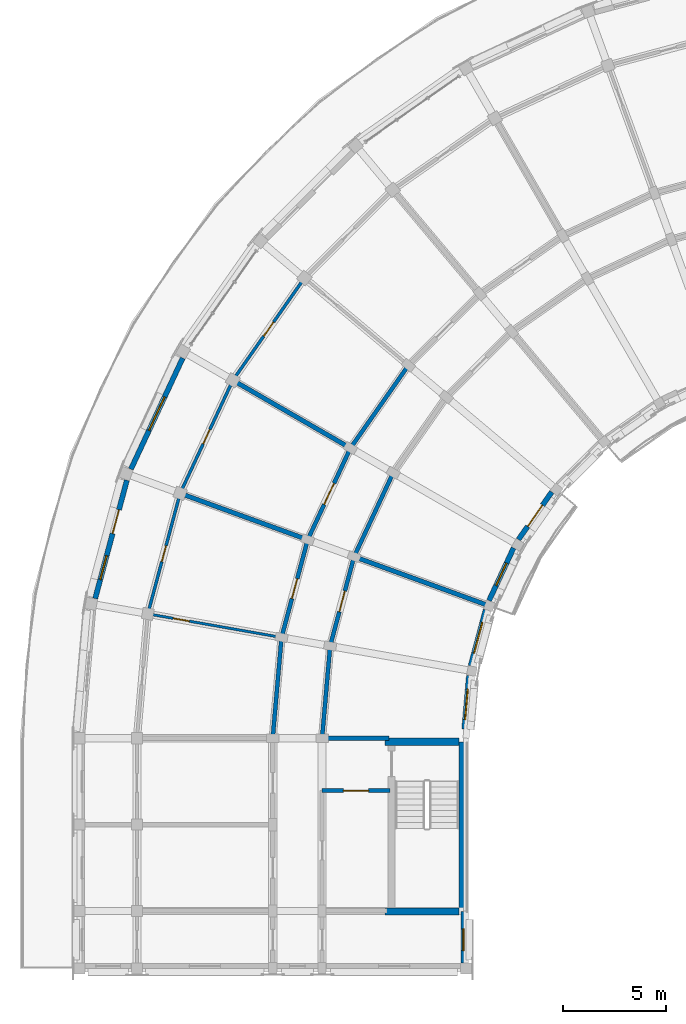
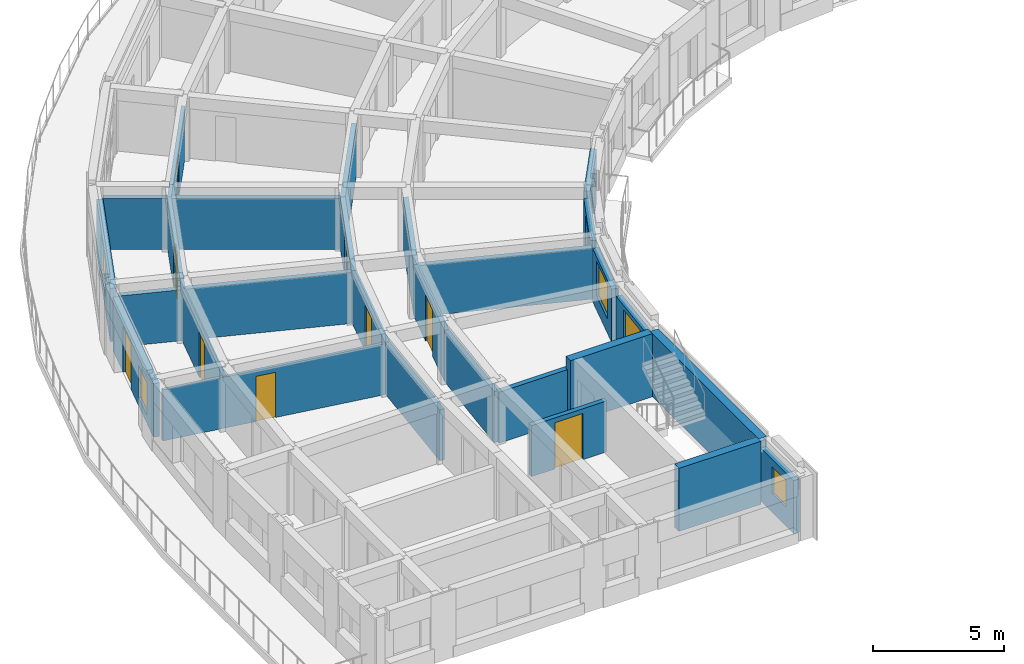
# One storey, part 7 of 16: 26 walls, 10 doors, 6 windows, 16 openings.
"""IFC4 building model written with IfcOpenShell, lengths in metres."""

from ifc_helpers import new_model, si_unit, direction, frame, frame_2d, origin, place, context, subcontext, project, spatial, rectangle, extrude, material, layer, layer_set, type_object, element, fill, save


model = new_model("IFC4")

# Units and contexts
model_context = context("Model", 3, precision=1e-05, world=origin(), true_north=direction((0.0, 1.0)))
body_context = subcontext(model_context, "Body", "Model", "MODEL_VIEW")
ifc_project = project(units=[si_unit("LENGTHUNIT", "METRE"), si_unit("AREAUNIT", "SQUARE_METRE"), si_unit("VOLUMEUNIT", "CUBIC_METRE"), si_unit("PLANEANGLEUNIT", "RADIAN"), si_unit("MASSUNIT", "GRAM", prefix="KILO")], contexts=[model_context])

# Site, building, storey
site_placement = place(None, origin())
site = spatial("IfcSite", under=ifc_project, at=site_placement, CompositionType="ELEMENT")
building_placement = place(site_placement, origin())
building = spatial("IfcBuilding", under=site, at=building_placement, Name="Kiranvali Square Residences", CompositionType="ELEMENT")
storey_placement = place(building_placement, frame((0.0, 0.0, 46.5)))
storey = spatial("IfcBuildingStorey", under=building, at=storey_placement, Name="L14", CompositionType="ELEMENT", Elevation=46.5)

# Wall, opening, door
ifc_material_1 = material(Name="Autoclaved aerated concrete blockwork masonry", Category="masonry")
ifc_layer_1 = layer(ifc_material_1, 0.199951171875)
ifc_layer_set_1 = layer_set([ifc_layer_1], Name="Autoclaved aerated concrete blockwork masonry")
wall_type_1 = type_object("IfcWallType", Name="WL-COR-200", PredefinedType="STANDARD", material=ifc_layer_set_1)
wall_1_placement = place(storey_placement, frame((25.699951171875, 85.25, 0.0), z_axis=(0.0, 0.0, 1.0), x_axis=(-1.0, 0.0, 0.0)))
wall_1 = element("IfcWall", 1, at=wall_1_placement, inside=storey, type_object=wall_type_1, Name="L14 architectural wall WL-L14-A-S3-V", PredefinedType="STANDARD", context=body_context, shape_type="SweptSolid", body=[
    extrude(rectangle(XDim=3.300048828125, YDim=0.199951171875, at=frame_2d((1.64990234375, 0.0))), origin(), (0.0, 0.0, 1.0), 2.3720703125),
])
opening_1_placement = place(wall_1_placement, frame((1.0400390625, 0.0, 0.0)))
opening_1 = element("IfcOpeningElement", 2, at=opening_1_placement, cuts=wall_1, Name="Opening FD-COR-60", PredefinedType="OPENING", context=body_context, shape_type="SweptSolid", body=[
    extrude(rectangle(XDim=1.219970703125, YDim=2.14990234375, at=frame_2d((0.60986328125, 1.074951171875))), frame((0.0, 0.10986328125, 0.0), z_axis=(0.0, -1.0, 0.0), x_axis=(1.0, 0.0, 0.0)), (0.0, 0.0, 1.0), 0.219970703125),
])
ifc_material_2 = material(Name="Fire-rated acoustic hardwood and mineral-core door assembly", Category="wood")
door_type_1 = type_object("IfcDoorType", Name="DR-FD60-1200", OperationType="NOTDEFINED", PredefinedType="DOOR", material=ifc_material_2)
door_1_placement = place(opening_1_placement, origin())
door_1 = element("IfcDoor", 3, at=door_1_placement, inside=storey, type_object=door_type_1, Name="L14 door DR-L14-0857 (DR-FD60-1200)", OperationType="SINGLE_SWING_LEFT", OverallHeight=2.14990234375, OverallWidth=1.219970703125, PredefinedType="DOOR", context=body_context, shape_type="SweptSolid", body=[
    extrude(rectangle(XDim=1.219970703125, YDim=2.14990234375, at=frame_2d((0.60986328125, 1.074951171875))), frame((0.0, 0.02490234375, 0.0), z_axis=(0.0, -1.0, 0.0), x_axis=(1.0, 0.0, 0.0)), (0.0, 0.0, 1.0), 0.050048828125),
])
fill(opening_1, door_1)

# Walls
wall_2_placement = place(storey_placement, frame((26.59765625, 105.926513671875, 0.0), z_axis=(0.0, 0.0, 1.0), x_axis=(-0.573592335331, -0.819140911474, 0.0)))
element("IfcWall", 4, at=wall_2_placement, inside=storey, type_object=wall_type_1, Name="L14 architectural wall WL-L14-A-CCO-5", PredefinedType="STANDARD", context=body_context, shape_type="SweptSolid", body=[
    extrude(rectangle(XDim=4.915771484375, YDim=0.199951171875, at=frame_2d((2.4580078125, 0.0))), origin(), (0.0, 0.0, 1.0), 2.3720703125),
])
wall_3_placement = place(storey_placement, frame((25.8564453125, 100.699951171875, 0.0), z_axis=(0.0, 0.0, 1.0), x_axis=(-0.422617978463, -0.906307919131, 0.0)))
element("IfcWall", 5, at=wall_3_placement, inside=storey, type_object=wall_type_1, Name="L14 architectural wall WL-L14-A-CCI-6", PredefinedType="STANDARD", context=body_context, shape_type="SweptSolid", body=[
    extrude(rectangle(XDim=4.497314453125, YDim=0.199951171875, at=frame_2d((2.24853515625, 0.0))), origin(), (0.0, 0.0, 1.0), 2.3720703125),
])

# Wall, opening, door
wall_4_placement = place(storey_placement, frame((23.778076171875, 101.89990234375, 0.0), z_axis=(0.0, 0.0, 1.0), x_axis=(-0.422629854778, -0.906302381024, 0.0)))
wall_4 = element("IfcWall", 6, at=wall_4_placement, inside=storey, type_object=wall_type_1, Name="L14 architectural wall WL-L14-A-CCO-6", PredefinedType="STANDARD", context=body_context, shape_type="SweptSolid", body=[
    extrude(rectangle(XDim=4.915283203125, YDim=0.199951171875, at=frame_2d((2.45751953125, 0.0))), origin(), (0.0, 0.0, 1.0), 2.3720703125),
])
opening_2_placement = place(wall_4_placement, frame((1.8876953125, 0.0, 0.0)))
opening_2 = element("IfcOpeningElement", 7, at=opening_2_placement, cuts=wall_4, Name="Opening FD-APT-60D", PredefinedType="OPENING", context=body_context, shape_type="SweptSolid", body=[
    extrude(rectangle(XDim=1.139892578125, YDim=2.14990234375, at=frame_2d((0.56982421875, 1.074951171875))), frame((0.0, 0.10986328125, 0.0), z_axis=(0.0, -1.0, 0.0), x_axis=(1.0, 0.0, 0.0)), (0.0, 0.0, 1.0), 0.219970703125),
])
door_type_2 = type_object("IfcDoorType", Name="DR-APT-1140", OperationType="NOTDEFINED", PredefinedType="DOOR", material=ifc_material_2)
door_2_placement = place(opening_2_placement, origin())
door_2 = element("IfcDoor", 8, at=door_2_placement, inside=storey, type_object=door_type_2, Name="L14 door DR-L14-0885 (DR-APT-1140)", OperationType="SINGLE_SWING_LEFT", OverallHeight=2.14990234375, OverallWidth=1.139892578125, PredefinedType="DOOR", context=body_context, shape_type="SweptSolid", body=[
    extrude(rectangle(XDim=1.139892578125, YDim=2.14990234375, at=frame_2d((0.56982421875, 1.074951171875))), frame((0.0, 0.02490234375, 0.0), z_axis=(0.0, -1.0, 0.0), x_axis=(1.0, 0.0, 0.0)), (0.0, 0.0, 1.0), 0.050048828125),
])
fill(opening_2, door_2)

wall_5_placement = place(storey_placement, frame((23.955810546875, 96.6240234375, 0.0), z_axis=(0.0, 0.0, 1.0), x_axis=(-0.258787642463, -0.965934240054, 0.0)))
wall_5 = element("IfcWall", 9, at=wall_5_placement, inside=storey, type_object=wall_type_1, Name="L14 architectural wall WL-L14-A-CCI-7", PredefinedType="STANDARD", context=body_context, shape_type="SweptSolid", body=[
    extrude(rectangle(XDim=4.497314453125, YDim=0.199951171875, at=frame_2d((2.24853515625, 0.0))), origin(), (0.0, 0.0, 1.0), 2.3720703125),
])
opening_3_placement = place(wall_5_placement, frame((1.728515625, 0.0, 0.0)))
opening_3 = element("IfcOpeningElement", 10, at=opening_3_placement, cuts=wall_5, Name="Opening FD-APT-60B", PredefinedType="OPENING", context=body_context, shape_type="SweptSolid", body=[
    extrude(rectangle(XDim=1.0400390625, YDim=2.14990234375, at=frame_2d((0.52001953125, 1.074951171875))), frame((0.0, 0.10986328125, 0.0), z_axis=(0.0, -1.0, 0.0), x_axis=(1.0, 0.0, 0.0)), (0.0, 0.0, 1.0), 0.219970703125),
])
door_type_3 = type_object("IfcDoorType", Name="DR-APT-1040", OperationType="NOTDEFINED", PredefinedType="DOOR", material=ifc_material_2)
door_3_placement = place(opening_3_placement, origin())
door_3 = element("IfcDoor", 11, at=door_3_placement, inside=storey, type_object=door_type_3, Name="L14 door DR-L14-0893 (DR-APT-1040)", OperationType="SINGLE_SWING_LEFT", OverallHeight=2.14990234375, OverallWidth=1.0400390625, PredefinedType="DOOR", context=body_context, shape_type="SweptSolid", body=[
    extrude(rectangle(XDim=1.0400390625, YDim=2.14990234375, at=frame_2d((0.52001953125, 1.074951171875))), frame((0.0, 0.02490234375, 0.0), z_axis=(0.0, -1.0, 0.0), x_axis=(1.0, 0.0, 0.0)), (0.0, 0.0, 1.0), 0.050048828125),
])
fill(opening_3, door_3)

wall_6_placement = place(storey_placement, frame((21.70068359375, 97.445068359375, 0.0), z_axis=(0.0, 0.0, 1.0), x_axis=(-0.258803112091, -0.965930095386, 0.0)))
wall_6 = element("IfcWall", 12, at=wall_6_placement, inside=storey, type_object=wall_type_1, Name="L14 architectural wall WL-L14-A-CCO-7", PredefinedType="STANDARD", context=body_context, shape_type="SweptSolid", body=[
    extrude(rectangle(XDim=4.915771484375, YDim=0.199951171875, at=frame_2d((2.4580078125, 0.0))), origin(), (0.0, 0.0, 1.0), 2.3720703125),
])
opening_4_placement = place(wall_6_placement, frame((1.957763671875, 0.0, 0.0)))
opening_4 = element("IfcOpeningElement", 13, at=opening_4_placement, cuts=wall_6, Name="Opening FD-APT-60", PredefinedType="OPENING", context=body_context, shape_type="SweptSolid", body=[
    extrude(rectangle(XDim=1.0, YDim=2.14990234375, at=frame_2d((0.5, 1.074951171875))), frame((0.0, 0.10986328125, 0.0), z_axis=(0.0, -1.0, 0.0), x_axis=(1.0, 0.0, 0.0)), (0.0, 0.0, 1.0), 0.219970703125),
])
door_type_4 = type_object("IfcDoorType", Name="DR-APT-1000", OperationType="NOTDEFINED", PredefinedType="DOOR", material=ifc_material_2)
door_4_placement = place(opening_4_placement, origin())
door_4 = element("IfcDoor", 14, at=door_4_placement, inside=storey, type_object=door_type_4, Name="L14 door DR-L14-0887 (DR-APT-1000)", OperationType="SINGLE_SWING_LEFT", OverallHeight=2.14990234375, OverallWidth=1.0, PredefinedType="DOOR", context=body_context, shape_type="SweptSolid", body=[
    extrude(rectangle(XDim=1.0, YDim=2.14990234375, at=frame_2d((0.5, 1.074951171875))), frame((0.0, 0.02490234375, 0.0), z_axis=(0.0, -1.0, 0.0), x_axis=(1.0, 0.0, 0.0)), (0.0, 0.0, 1.0), 0.050048828125),
])
fill(opening_4, door_4)

# Walls
wall_7_placement = place(storey_placement, frame((22.7919921875, 92.280029296875, 0.0), z_axis=(0.0, 0.0, 1.0), x_axis=(-0.087187153726, -0.996191949488, 0.0)))
element("IfcWall", 15, at=wall_7_placement, inside=storey, type_object=wall_type_1, Name="L14 architectural wall WL-L14-A-CCI-8", PredefinedType="STANDARD", context=body_context, shape_type="SweptSolid", body=[
    extrude(rectangle(XDim=4.4970703125, YDim=0.199951171875, at=frame_2d((2.24853515625, 0.0))), origin(), (0.0, 0.0, 1.0), 2.3720703125),
])
wall_8_placement = place(storey_placement, frame((20.428466796875, 92.69677734375, 0.0), z_axis=(0.0, 0.0, 1.0), x_axis=(-0.087167566415, -0.996193663584, 0.0)))
element("IfcWall", 16, at=wall_8_placement, inside=storey, type_object=wall_type_1, Name="L14 architectural wall WL-L14-A-CCO-8", PredefinedType="STANDARD", context=body_context, shape_type="SweptSolid", body=[
    extrude(rectangle(XDim=4.91552734375, YDim=0.199951171875, at=frame_2d((2.457763671875, 0.0))), origin(), (0.0, 0.0, 1.0), 2.3720703125),
])
ifc_layer_2 = layer(ifc_material_1, 0.219970703125)
ifc_layer_set_2 = layer_set([ifc_layer_2], Name="Autoclaved aerated concrete blockwork masonry")
wall_type_2 = type_object("IfcWallType", Name="WL-DEM-220", PredefinedType="STANDARD", material=ifc_layer_set_2)
wall_9_placement = place(storey_placement, frame((23.69140625, 101.949951171875, 0.0), z_axis=(0.0, 0.0, 1.0), x_axis=(-0.866024222538, 0.500002045973, 0.0)))
element("IfcWall", 17, at=wall_9_placement, inside=storey, type_object=wall_type_2, Name="L14 architectural wall WL-L14-A-RADO-6", PredefinedType="STANDARD", context=body_context, shape_type="SweptSolid", body=[
    extrude(rectangle(XDim=9.02001953125, YDim=0.219970703125, at=frame_2d((4.510009765625, 0.0))), origin(), (0.0, 0.0, 1.0), 2.3720703125),
])
wall_10_placement = place(storey_placement, frame((30.345947265625, 94.29833984375, 0.0), z_axis=(0.0, 0.0, 1.0), x_axis=(-0.939696231917, 0.342010221662, 0.0)))
element("IfcWall", 18, at=wall_10_placement, inside=storey, type_object=wall_type_2, Name="L14 architectural wall WL-L14-A-RADI-7", PredefinedType="STANDARD", context=body_context, shape_type="SweptSolid", body=[
    extrude(rectangle(XDim=6.75, YDim=0.219970703125, at=frame_2d((3.375, 0.0))), origin(), (0.0, 0.0, 1.0), 2.3720703125),
])
wall_11_placement = place(storey_placement, frame((21.606689453125, 97.479248046875, 0.0), z_axis=(0.0, 0.0, 1.0), x_axis=(-0.939695392201, 0.342012528828, 0.0)))
element("IfcWall", 19, at=wall_11_placement, inside=storey, type_object=wall_type_2, Name="L14 architectural wall WL-L14-A-RADO-7", PredefinedType="STANDARD", context=body_context, shape_type="SweptSolid", body=[
    extrude(rectangle(XDim=9.02001953125, YDim=0.219970703125, at=frame_2d((4.510009765625, 0.0))), origin(), (0.0, 0.0, 1.0), 2.3720703125),
])
wall_12_placement = place(storey_placement, frame((25.64990234375, 87.800048828125, 0.0), z_axis=(0.0, 0.0, 1.0), x_axis=(-1.0, 0.0, 0.0)))
element("IfcWall", 20, at=wall_12_placement, inside=storey, type_object=wall_type_2, Name="L14 architectural wall WL-L14-A-RADI-9", PredefinedType="STANDARD", context=body_context, shape_type="SweptSolid", body=[
    extrude(rectangle(XDim=3.199951171875, YDim=0.219970703125, at=frame_2d((1.60009765625, 0.0))), origin(), (0.0, 0.0, 1.0), 2.3720703125),
])

# Wall, opening, window
ifc_material_3 = material(Name="Breathable lime-rendered clay brick masonry", Category="masonry")
ifc_layer_3 = layer(ifc_material_3, 0.25)
ifc_layer_set_3 = layer_set([ifc_layer_3], Name="Breathable lime-rendered clay brick masonry")
wall_type_3 = type_object("IfcWallType", Name="WL-EXT-250", PredefinedType="STANDARD", material=ifc_layer_set_3)
wall_13_placement = place(storey_placement, frame((15.623779296875, 106.274658203125, 0.0), z_axis=(0.0, 0.0, 1.0), x_axis=(-0.422636229619, -0.90629940826, 0.0)))
wall_13 = element("IfcWall", 21, at=wall_13_placement, inside=storey, type_object=wall_type_3, Name="L14 exterior wall A-L14-CRV-06", PredefinedType="STANDARD", context=body_context, shape_type="SweptSolid", body=[
    extrude(rectangle(XDim=5.952880859375, YDim=0.25, at=frame_2d((2.9765625, 0.0))), origin(), (0.0, 0.0, 1.0), 2.47998046875),
])
opening_5_placement = place(wall_13_placement, frame((2.076416015625, 0.0, 0.6298828125)))
opening_5 = element("IfcOpeningElement", 22, at=opening_5_placement, cuts=wall_13, Name="Opening W-04", PredefinedType="OPENING", context=body_context, shape_type="SweptSolid", body=[
    extrude(rectangle(XDim=1.800048828125, YDim=1.64990234375, at=frame_2d((0.89990234375, 0.824951171875))), frame((0.0, 0.135009765625, 0.0), z_axis=(0.0, -1.0, 0.0), x_axis=(1.0, 0.0, 0.0)), (0.0, 0.0, 1.0), 0.27001953125),
])
ifc_material_4 = material(Name="Solar-control low-e double glazing", Category="glass")
window_type_1 = type_object("IfcWindowType", Name="WIN-RES-1800x1650", PartitioningType="DOUBLE_PANEL_VERTICAL", PredefinedType="WINDOW", material=ifc_material_4)
window_1_placement = place(opening_5_placement, origin())
window_1 = element("IfcWindow", 23, at=window_1_placement, inside=storey, type_object=window_type_1, Name="L14 recessed window A-L14-CRV-06", OverallHeight=1.64990234375, OverallWidth=1.800048828125, PartitioningType="DOUBLE_PANEL_VERTICAL", PredefinedType="WINDOW", context=body_context, shape_type="SweptSolid", body=[
    extrude(rectangle(XDim=1.800048828125, YDim=1.64990234375, at=frame_2d((0.89990234375, 0.824951171875))), frame((0.0, 0.030029296875, 0.0), z_axis=(0.0, -1.0, 0.0), x_axis=(1.0, 0.0, 0.0)), (0.0, 0.0, 1.0), 0.06005859375),
])
fill(opening_5, window_1)

# Wall, openings, door, window
wall_14_placement = place(storey_placement, frame((12.910400390625, 100.33740234375, 0.0), z_axis=(0.0, 0.0, 1.0), x_axis=(-0.258818764656, -0.965925901434, 0.0)))
wall_14 = element("IfcWall", 24, at=wall_14_placement, inside=storey, type_object=wall_type_3, Name="L14 exterior wall A-L14-CRV-07", PredefinedType="STANDARD", context=body_context, shape_type="SweptSolid", body=[
    extrude(rectangle(XDim=5.953125, YDim=0.25, at=frame_2d((2.9765625, 0.0))), origin(), (0.0, 0.0, 1.0), 2.47998046875),
])
opening_6_placement = place(wall_14_placement, frame((3.79345703125, 0.0, 0.3798828125)))
opening_6 = element("IfcOpeningElement", 25, at=opening_6_placement, cuts=wall_14, Name="Opening W-06", PredefinedType="OPENING", context=body_context, shape_type="SweptSolid", body=[
    extrude(rectangle(XDim=1.199951171875, YDim=1.5, at=frame_2d((0.60009765625, 0.75))), frame((0.0, 0.135009765625, 0.0), z_axis=(0.0, -1.0, 0.0), x_axis=(1.0, 0.0, 0.0)), (0.0, 0.0, 1.0), 0.27001953125),
])
opening_7_placement = place(wall_14_placement, frame((1.483642578125, 0.0, 0.0)))
opening_7 = element("IfcOpeningElement", 26, at=opening_7_placement, cuts=wall_14, Name="Opening ED-BAL-1", PredefinedType="OPENING", context=body_context, shape_type="SweptSolid", body=[
    extrude(rectangle(XDim=1.199951171875, YDim=2.14990234375, at=frame_2d((0.60009765625, 1.074951171875))), frame((0.0, 0.135009765625, 0.0), z_axis=(0.0, -1.0, 0.0), x_axis=(1.0, 0.0, 0.0)), (0.0, 0.0, 1.0), 0.27001953125),
])
ifc_material_5 = material(Name="Anodised bronze aluminium framing", Category="aluminium")
door_type_5 = type_object("IfcDoorType", Name="DR-BAL-1200", OperationType="NOTDEFINED", PredefinedType="DOOR", material=ifc_material_5)
door_5_placement = place(opening_7_placement, frame((1.199951171875, 0.0, 0.0), z_axis=(0.0, 0.0, 1.0), x_axis=(-1.0, 0.0, 0.0)))
door_5 = element("IfcDoor", 27, at=door_5_placement, inside=storey, type_object=door_type_5, Name="L14 balcony terrace door", OperationType="SINGLE_SWING_RIGHT", OverallHeight=2.14990234375, OverallWidth=1.199951171875, PredefinedType="DOOR", context=body_context, shape_type="SweptSolid", body=[
    extrude(rectangle(XDim=1.199951171875, YDim=2.14990234375, at=frame_2d((0.60009765625, 1.074951171875))), frame((0.0, 0.02490234375, 0.0), z_axis=(0.0, -1.0, 0.0), x_axis=(1.0, 0.0, 0.0)), (0.0, 0.0, 1.0), 0.050048828125),
])
fill(opening_7, door_5)
window_type_2 = type_object("IfcWindowType", Name="WIN-RES-1200x1500", PartitioningType="SINGLE_PANEL", PredefinedType="WINDOW", material=ifc_material_4)
window_2_placement = place(opening_6_placement, origin())
window_2 = element("IfcWindow", 28, at=window_2_placement, inside=storey, type_object=window_type_2, Name="L14 recessed window A-L14-CRV-07", OverallHeight=1.5, OverallWidth=1.199951171875, PartitioningType="SINGLE_PANEL", PredefinedType="WINDOW", context=body_context, shape_type="SweptSolid", body=[
    extrude(rectangle(XDim=1.199951171875, YDim=1.5, at=frame_2d((0.60009765625, 0.75))), frame((0.0, 0.030029296875, 0.0), z_axis=(0.0, -1.0, 0.0), x_axis=(1.0, 0.0, 0.0)), (0.0, 0.0, 1.0), 0.06005859375),
])
fill(opening_6, window_2)

# Wall, opening, door
wall_15_placement = place(storey_placement, frame((33.56494140625, 99.76904296875, 0.0), z_axis=(0.0, 0.0, 1.0), x_axis=(-0.573572722716, -0.819154644592, 0.0)))
wall_15 = element("IfcWall", 29, at=wall_15_placement, inside=storey, type_object=wall_type_3, Name="L14 exterior wall A-L14-GDN-05", PredefinedType="STANDARD", context=body_context, shape_type="SweptSolid", body=[
    extrude(rectangle(XDim=2.8203125, YDim=0.25, at=frame_2d((1.41015625, 0.0))), origin(), (0.0, 0.0, 1.0), 2.471923828125),
])
opening_8_placement = place(wall_15_placement, frame((0.780029296875, 0.0, 0.0)))
opening_8 = element("IfcOpeningElement", 30, at=opening_8_placement, cuts=wall_15, Name="Opening ED-BAL-2", PredefinedType="OPENING", context=body_context, shape_type="SweptSolid", body=[
    extrude(rectangle(XDim=1.260009765625, YDim=2.14990234375, at=frame_2d((0.6298828125, 1.074951171875))), frame((0.0, 0.135009765625, 0.0), z_axis=(0.0, -1.0, 0.0), x_axis=(1.0, 0.0, 0.0)), (0.0, 0.0, 1.0), 0.27001953125),
])
door_type_6 = type_object("IfcDoorType", Name="DR-BAL-1260", OperationType="NOTDEFINED", PredefinedType="DOOR", material=ifc_material_5)
door_6_placement = place(opening_8_placement, origin())
door_6 = element("IfcDoor", 31, at=door_6_placement, inside=storey, type_object=door_type_6, Name="L14 balcony terrace door", OperationType="SINGLE_SWING_RIGHT", OverallHeight=2.14990234375, OverallWidth=1.260009765625, PredefinedType="DOOR", context=body_context, shape_type="SweptSolid", body=[
    extrude(rectangle(XDim=1.260009765625, YDim=2.14990234375, at=frame_2d((0.6298828125, 1.074951171875))), frame((0.0, 0.02490234375, 0.0), z_axis=(0.0, -1.0, 0.0), x_axis=(1.0, 0.0, 0.0)), (0.0, 0.0, 1.0), 0.050048828125),
])
fill(opening_8, door_6)

# Wall, opening, window
wall_16_placement = place(storey_placement, frame((31.708984375, 97.045654296875, 0.0), z_axis=(0.0, 0.0, 1.0), x_axis=(-0.422667431484, -0.906284857185, 0.0)))
wall_16 = element("IfcWall", 32, at=wall_16_placement, inside=storey, type_object=wall_type_3, Name="L14 exterior wall A-L14-GDN-06", PredefinedType="STANDARD", context=body_context, shape_type="SweptSolid", body=[
    extrude(rectangle(XDim=2.81982421875, YDim=0.25, at=frame_2d((1.409912109375, 0.0))), origin(), (0.0, 0.0, 1.0), 2.471923828125),
])
opening_9_placement = place(wall_16_placement, frame((0.81005859375, 0.0, 0.77197265625)))
opening_9 = element("IfcOpeningElement", 33, at=opening_9_placement, cuts=wall_16, Name="Opening W-06", PredefinedType="OPENING", context=body_context, shape_type="SweptSolid", body=[
    extrude(rectangle(XDim=1.199951171875, YDim=1.5, at=frame_2d((0.60009765625, 0.75))), frame((0.0, 0.135009765625, 0.0), z_axis=(0.0, -1.0, 0.0), x_axis=(1.0, 0.0, 0.0)), (0.0, 0.0, 1.0), 0.27001953125),
])
window_3_placement = place(opening_9_placement, origin())
window_3 = element("IfcWindow", 34, at=window_3_placement, inside=storey, type_object=window_type_2, Name="L14 recessed window A-L14-GDN-06", OverallHeight=1.5, OverallWidth=1.199951171875, PartitioningType="SINGLE_PANEL", PredefinedType="WINDOW", context=body_context, shape_type="SweptSolid", body=[
    extrude(rectangle(XDim=1.199951171875, YDim=1.5, at=frame_2d((0.60009765625, 0.75))), frame((0.0, 0.030029296875, 0.0), z_axis=(0.0, -1.0, 0.0), x_axis=(1.0, 0.0, 0.0)), (0.0, 0.0, 1.0), 0.06005859375),
])
fill(opening_9, window_3)

wall_17_placement = place(storey_placement, frame((30.35400390625, 94.041748046875, 0.0), z_axis=(0.0, 0.0, 1.0), x_axis=(-0.258837049266, -0.965921001908, 0.0)))
wall_17 = element("IfcWall", 35, at=wall_17_placement, inside=storey, type_object=wall_type_3, Name="L14 exterior wall A-L14-GDN-07", PredefinedType="STANDARD", context=body_context, shape_type="SweptSolid", body=[
    extrude(rectangle(XDim=2.8203125, YDim=0.25, at=frame_2d((1.41015625, 0.0))), origin(), (0.0, 0.0, 1.0), 2.471923828125),
])
opening_10_placement = place(wall_17_placement, frame((0.635009765625, 0.0, 0.672119140625)))
opening_10 = element("IfcOpeningElement", 36, at=opening_10_placement, cuts=wall_17, Name="Opening W-18", PredefinedType="OPENING", context=body_context, shape_type="SweptSolid", body=[
    extrude(rectangle(XDim=1.550048828125, YDim=1.60009765625, at=frame_2d((0.77490234375, 0.800048828125))), frame((0.0, 0.135009765625, 0.0), z_axis=(0.0, -1.0, 0.0), x_axis=(1.0, 0.0, 0.0)), (0.0, 0.0, 1.0), 0.27001953125),
])
window_type_3 = type_object("IfcWindowType", Name="WIN-GDN-1550x1600", PartitioningType="DOUBLE_PANEL_VERTICAL", PredefinedType="WINDOW", material=ifc_material_4)
window_4_placement = place(opening_10_placement, origin())
window_4 = element("IfcWindow", 37, at=window_4_placement, inside=storey, type_object=window_type_3, Name="L14 recessed window A-L14-GDN-07", OverallHeight=1.60009765625, OverallWidth=1.550048828125, PartitioningType="DOUBLE_PANEL_VERTICAL", PredefinedType="WINDOW", context=body_context, shape_type="SweptSolid", body=[
    extrude(rectangle(XDim=1.550048828125, YDim=1.60009765625, at=frame_2d((0.77490234375, 0.800048828125))), frame((0.0, 0.030029296875, 0.0), z_axis=(0.0, -1.0, 0.0), x_axis=(1.0, 0.0, 0.0)), (0.0, 0.0, 1.0), 0.06005859375),
])
fill(opening_10, window_4)

wall_18_placement = place(storey_placement, frame((29.541259765625, 90.847900390625, 0.0), z_axis=(0.0, 0.0, 1.0), x_axis=(-0.087227322402, -0.996188433092, 0.0)))
wall_18 = element("IfcWall", 38, at=wall_18_placement, inside=storey, type_object=wall_type_3, Name="L14 exterior wall A-L14-GDN-08", PredefinedType="STANDARD", context=body_context, shape_type="SweptSolid", body=[
    extrude(rectangle(XDim=2.608642578125, YDim=0.25, at=frame_2d((1.30419921875, 0.0))), origin(), (0.0, 0.0, 1.0), 2.471923828125),
])
opening_11_placement = place(wall_18_placement, frame((0.66015625, 0.0, 0.6220703125)))
opening_11 = element("IfcOpeningElement", 39, at=opening_11_placement, cuts=wall_18, Name="Opening W-05", PredefinedType="OPENING", context=body_context, shape_type="SweptSolid", body=[
    extrude(rectangle(XDim=1.5, YDim=1.64990234375, at=frame_2d((0.75, 0.824951171875))), frame((0.0, 0.135009765625, 0.0), z_axis=(0.0, -1.0, 0.0), x_axis=(1.0, 0.0, 0.0)), (0.0, 0.0, 1.0), 0.27001953125),
])
window_type_4 = type_object("IfcWindowType", Name="WIN-RES-1500x1650", PartitioningType="DOUBLE_PANEL_VERTICAL", PredefinedType="WINDOW", material=ifc_material_4)
window_5_placement = place(opening_11_placement, origin())
window_5 = element("IfcWindow", 40, at=window_5_placement, inside=storey, type_object=window_type_4, Name="L14 recessed window A-L14-GDN-08", OverallHeight=1.64990234375, OverallWidth=1.5, PartitioningType="DOUBLE_PANEL_VERTICAL", PredefinedType="WINDOW", context=body_context, shape_type="SweptSolid", body=[
    extrude(rectangle(XDim=1.5, YDim=1.64990234375, at=frame_2d((0.75, 0.824951171875))), frame((0.0, 0.030029296875, 0.0), z_axis=(0.0, -1.0, 0.0), x_axis=(1.0, 0.0, 0.0)), (0.0, 0.0, 1.0), 0.06005859375),
])
fill(opening_11, window_5)

wall_19_placement = place(storey_placement, frame((29.27490234375, 79.37158203125, 0.0), z_axis=(0.0, 0.0, 1.0), x_axis=(0.0, -1.0, 0.0)))
wall_19 = element("IfcWall", 41, at=wall_19_placement, inside=storey, type_object=wall_type_3, Name="L14 exterior wall A-L14-A2I-0", PredefinedType="STANDARD", context=body_context, shape_type="SweptSolid", body=[
    extrude(rectangle(XDim=2.4931640625, YDim=0.25, at=frame_2d((1.24658203125, 0.0))), origin(), (0.0, 0.0, 1.0), 2.471923828125),
])
opening_12_placement = place(wall_19_placement, frame((0.846435546875, 0.0, 0.8798828125)))
opening_12 = element("IfcOpeningElement", 42, at=opening_12_placement, cuts=wall_19, Name="Opening W-24", PredefinedType="OPENING", context=body_context, shape_type="SweptSolid", body=[
    extrude(rectangle(XDim=1.050048828125, YDim=1.25, at=frame_2d((0.52490234375, 0.625))), frame((0.0, 0.135009765625, 0.0), z_axis=(0.0, -1.0, 0.0), x_axis=(1.0, 0.0, 0.0)), (0.0, 0.0, 1.0), 0.27001953125),
])
window_type_5 = type_object("IfcWindowType", Name="WIN-COR-1050x1250", PartitioningType="SINGLE_PANEL", PredefinedType="WINDOW", material=ifc_material_4)
window_6_placement = place(opening_12_placement, origin())
window_6 = element("IfcWindow", 43, at=window_6_placement, inside=storey, type_object=window_type_5, Name="L14 recessed window A-L14-A2I-0", OverallHeight=1.25, OverallWidth=1.050048828125, PartitioningType="SINGLE_PANEL", PredefinedType="WINDOW", context=body_context, shape_type="SweptSolid", body=[
    extrude(rectangle(XDim=1.050048828125, YDim=1.25, at=frame_2d((0.52490234375, 0.625))), frame((0.0, 0.030029296875, 0.0), z_axis=(0.0, -1.0, 0.0), x_axis=(1.0, 0.0, 0.0)), (0.0, 0.0, 1.0), 0.06005859375),
])
fill(opening_12, window_6)

# Wall, opening, door
ifc_material_6 = material(Name="Acoustic gypsum board drylined partition", Category="gypsum")
ifc_layer_4 = layer(ifc_material_6, 0.125)
ifc_layer_set_4 = layer_set([ifc_layer_4], Name="Acoustic gypsum board drylined partition")
wall_type_4 = type_object("IfcWallType", Name="WL-PRT-125", PredefinedType="PARTITIONING", material=ifc_layer_set_4)
wall_20_placement = place(storey_placement, frame((20.329833984375, 92.71435546875, 0.0), z_axis=(0.0, 0.0, 1.0), x_axis=(-0.98480997874, 0.173635554464, 0.0)))
wall_20 = element("IfcWall", 44, at=wall_20_placement, inside=storey, type_object=wall_type_4, Name="L14 architectural wall WL-L14-A-RADO-8", PredefinedType="PARTITIONING", context=body_context, shape_type="SweptSolid", body=[
    extrude(rectangle(XDim=9.019775390625, YDim=0.125, at=frame_2d((4.509765625, 0.0))), origin(), (0.0, 0.0, 1.0), 2.3720703125),
])
opening_13_placement = place(wall_20_placement, frame((4.449951171875, 0.0, 0.0)))
opening_13 = element("IfcOpeningElement", 45, at=opening_13_placement, cuts=wall_20, Name="Opening ID-WET", PredefinedType="OPENING", context=body_context, shape_type="SweptSolid", body=[
    extrude(rectangle(XDim=0.800048828125, YDim=2.10009765625, at=frame_2d((0.39990234375, 1.050048828125))), frame((0.0, 0.072509765625, 0.0), z_axis=(0.0, -1.0, 0.0), x_axis=(1.0, 0.0, 0.0)), (0.0, 0.0, 1.0), 0.14501953125),
])
ifc_material_7 = material(Name="Solid seasoned teak hardwood joinery", Category="wood")
door_type_7 = type_object("IfcDoorType", Name="DR-WET-800", OperationType="NOTDEFINED", PredefinedType="DOOR", material=ifc_material_7)
door_7_placement = place(opening_13_placement, origin())
door_7 = element("IfcDoor", 46, at=door_7_placement, inside=storey, type_object=door_type_7, Name="L14 door DR-L14-0875 (DR-WET-800)", OperationType="SINGLE_SWING_LEFT", OverallHeight=2.10009765625, OverallWidth=0.800048828125, PredefinedType="DOOR", context=body_context, shape_type="SweptSolid", body=[
    extrude(rectangle(XDim=0.800048828125, YDim=2.10009765625, at=frame_2d((0.39990234375, 1.050048828125))), frame((0.0, 0.02490234375, 0.0), z_axis=(0.0, -1.0, 0.0), x_axis=(1.0, 0.0, 0.0)), (0.0, 0.0, 1.0), 0.050048828125),
])
fill(opening_13, door_7)

# Walls
ifc_material_8 = material(Name="Concrete M45 (45 MPa)", Category="concrete")
ifc_layer_5 = layer(ifc_material_8, 0.320068359375)
ifc_layer_set_5 = layer_set([ifc_layer_5], Name="Concrete M45 (45 MPa)")
wall_type_5 = type_object("IfcWallType", Name="WL-SHR-320", PredefinedType="SHEAR", material=ifc_layer_set_5)
wall_21_placement = place(storey_placement, frame((29.22509765625, 87.625, 0.0), z_axis=(0.0, 0.0, 1.0), x_axis=(0.0, -1.0, 0.0)))
element("IfcWall", 47, at=wall_21_placement, inside=storey, type_object=wall_type_5, Name="Block A core shear wall SW-A3-OUT-L14", PredefinedType="SHEAR", context=body_context, shape_type="SweptSolid", body=[
    extrude(rectangle(XDim=8.25, YDim=0.35009765625, at=frame_2d((4.125, 0.0))), origin(), (0.0, 0.0, 1.0), 2.929931640625),
])
for number, where, z_axis, x_axis, name in (
    (48, (29.050048828125, 87.625, 0.0), (0.0, 0.0, 1.0), (-1.0, 0.0, 0.0), "Block A core shear wall SW-A3-NEAR-L14"),
    (49, (29.050048828125, 79.375, 0.0), (0.0, 0.0, 1.0), (-1.0, 0.0, 0.0), "Block A core shear wall SW-A3-FAR-L14"),
):
    element("IfcWall", number, at=place(storey_placement, frame(where, z_axis=z_axis, x_axis=x_axis)), inside=storey, type_object=wall_type_5, Name=name, PredefinedType="SHEAR", context=body_context, shape_type="SweptSolid", body=[
        extrude(rectangle(XDim=3.60009765625, YDim=0.35009765625, at=frame_2d((1.800048828125, 0.0))), origin(), (0.0, 0.0, 1.0), 2.929931640625),
    ])

# Wall, opening, door
ifc_layer_6 = layer(ifc_material_1, 0.14990234375)
ifc_layer_set_6 = layer_set([ifc_layer_6], Name="Autoclaved aerated concrete blockwork masonry")
wall_type_6 = type_object("IfcWallType", Name="WL-WET-150", PredefinedType="PLUMBINGWALL", material=ifc_layer_set_6)
wall_22_placement = place(storey_placement, frame((21.541748046875, 110.1689453125, 0.0), z_axis=(0.0, 0.0, 1.0), x_axis=(-0.573594691504, -0.81913926159, 0.0)))
wall_22 = element("IfcWall", 50, at=wall_22_placement, inside=storey, type_object=wall_type_6, Name="L14 architectural wall WL-L14-A-CWET-5", PredefinedType="PLUMBINGWALL", context=body_context, shape_type="SweptSolid", body=[
    extrude(rectangle(XDim=6.066162109375, YDim=0.14990234375, at=frame_2d((3.033203125, 0.0))), origin(), (0.0, 0.0, 1.0), 2.3720703125),
])
opening_14_placement = place(wall_22_placement, frame((2.613037109375, 0.0, 0.0)))
opening_14 = element("IfcOpeningElement", 51, at=opening_14_placement, cuts=wall_22, Name="Opening ID-WET2", PredefinedType="OPENING", context=body_context, shape_type="SweptSolid", body=[
    extrude(rectangle(XDim=0.840087890625, YDim=2.10009765625, at=frame_2d((0.419921875, 1.050048828125))), frame((0.0, 0.0849609375, 0.0), z_axis=(0.0, -1.0, 0.0), x_axis=(1.0, 0.0, 0.0)), (0.0, 0.0, 1.0), 0.169921875),
])
door_type_8 = type_object("IfcDoorType", Name="DR-WET-840", OperationType="NOTDEFINED", PredefinedType="DOOR", material=ifc_material_7)
door_8_placement = place(opening_14_placement, frame((0.840087890625, 0.0, 0.0), z_axis=(0.0, 0.0, 1.0), x_axis=(-1.0, 0.0, 0.0)))
door_8 = element("IfcDoor", 52, at=door_8_placement, inside=storey, type_object=door_type_8, Name="L14 door DR-L14-0884 (DR-WET-840)", OperationType="SINGLE_SWING_RIGHT", OverallHeight=2.10009765625, OverallWidth=0.840087890625, PredefinedType="DOOR", context=body_context, shape_type="SweptSolid", body=[
    extrude(rectangle(XDim=0.840087890625, YDim=2.10009765625, at=frame_2d((0.419921875, 1.050048828125))), frame((0.0, 0.02490234375, 0.0), z_axis=(0.0, -1.0, 0.0), x_axis=(1.0, 0.0, 0.0)), (0.0, 0.0, 1.0), 0.050048828125),
])
fill(opening_14, door_8)

wall_23_placement = place(storey_placement, frame((18.062255859375, 105.199951171875, 0.0), z_axis=(0.0, 0.0, 1.0), x_axis=(-0.42260781991, -0.906312656069, 0.0)))
wall_23 = element("IfcWall", 53, at=wall_23_placement, inside=storey, type_object=wall_type_6, Name="L14 architectural wall WL-L14-A-CWET-6", PredefinedType="PLUMBINGWALL", context=body_context, shape_type="SweptSolid", body=[
    extrude(rectangle(XDim=6.06591796875, YDim=0.14990234375, at=frame_2d((3.032958984375, 0.0))), origin(), (0.0, 0.0, 1.0), 2.3720703125),
])
opening_15_placement = place(wall_23_placement, frame((2.653076171875, 0.0, 0.0)))
opening_15 = element("IfcOpeningElement", 54, at=opening_15_placement, cuts=wall_23, Name="Opening ID-WET0", PredefinedType="OPENING", context=body_context, shape_type="SweptSolid", body=[
    extrude(rectangle(XDim=0.760009765625, YDim=2.050048828125, at=frame_2d((0.3798828125, 1.02490234375))), frame((0.0, 0.0849609375, 0.0), z_axis=(0.0, -1.0, 0.0), x_axis=(1.0, 0.0, 0.0)), (0.0, 0.0, 1.0), 0.169921875),
])
door_type_9 = type_object("IfcDoorType", Name="DR-WET-760", OperationType="NOTDEFINED", PredefinedType="DOOR", material=ifc_material_7)
door_9_placement = place(opening_15_placement, frame((0.760009765625, 0.0, 0.0), z_axis=(0.0, 0.0, 1.0), x_axis=(-1.0, 0.0, 0.0)))
door_9 = element("IfcDoor", 55, at=door_9_placement, inside=storey, type_object=door_type_9, Name="L14 door DR-L14-0886 (DR-WET-760)", OperationType="SINGLE_SWING_RIGHT", OverallHeight=2.050048828125, OverallWidth=0.760009765625, PredefinedType="DOOR", context=body_context, shape_type="SweptSolid", body=[
    extrude(rectangle(XDim=0.760009765625, YDim=2.050048828125, at=frame_2d((0.3798828125, 1.02490234375))), frame((0.0, 0.02490234375, 0.0), z_axis=(0.0, -1.0, 0.0), x_axis=(1.0, 0.0, 0.0)), (0.0, 0.0, 1.0), 0.050048828125),
])
fill(opening_15, door_9)

wall_24_placement = place(storey_placement, frame((15.498779296875, 99.702392578125, 0.0), z_axis=(0.0, 0.0, 1.0), x_axis=(-0.258827283048, -0.965923618901, 0.0)))
wall_24 = element("IfcWall", 56, at=wall_24_placement, inside=storey, type_object=wall_type_6, Name="L14 architectural wall WL-L14-A-CWET-7", PredefinedType="PLUMBINGWALL", context=body_context, shape_type="SweptSolid", body=[
    extrude(rectangle(XDim=6.066162109375, YDim=0.14990234375, at=frame_2d((3.033203125, 0.0))), origin(), (0.0, 0.0, 1.0), 2.3720703125),
])
opening_16_placement = place(wall_24_placement, frame((2.633056640625, 0.0, 0.0)))
opening_16 = element("IfcOpeningElement", 57, at=opening_16_placement, cuts=wall_24, Name="Opening ID-WET", PredefinedType="OPENING", context=body_context, shape_type="SweptSolid", body=[
    extrude(rectangle(XDim=0.800048828125, YDim=2.10009765625, at=frame_2d((0.39990234375, 1.050048828125))), frame((0.0, 0.0849609375, 0.0), z_axis=(0.0, -1.0, 0.0), x_axis=(1.0, 0.0, 0.0)), (0.0, 0.0, 1.0), 0.169921875),
])
door_10_placement = place(opening_16_placement, frame((0.800048828125, 0.0, 0.0), z_axis=(0.0, 0.0, 1.0), x_axis=(-1.0, 0.0, 0.0)))
door_10 = element("IfcDoor", 58, at=door_10_placement, inside=storey, type_object=door_type_7, Name="L14 door DR-L14-0888 (DR-WET-800)", OperationType="SINGLE_SWING_RIGHT", OverallHeight=2.10009765625, OverallWidth=0.800048828125, PredefinedType="DOOR", context=body_context, shape_type="SweptSolid", body=[
    extrude(rectangle(XDim=0.800048828125, YDim=2.10009765625, at=frame_2d((0.39990234375, 1.050048828125))), frame((0.0, 0.02490234375, 0.0), z_axis=(0.0, -1.0, 0.0), x_axis=(1.0, 0.0, 0.0)), (0.0, 0.0, 1.0), 0.050048828125),
])
fill(opening_16, door_10)

save(model, "model.ifc")
